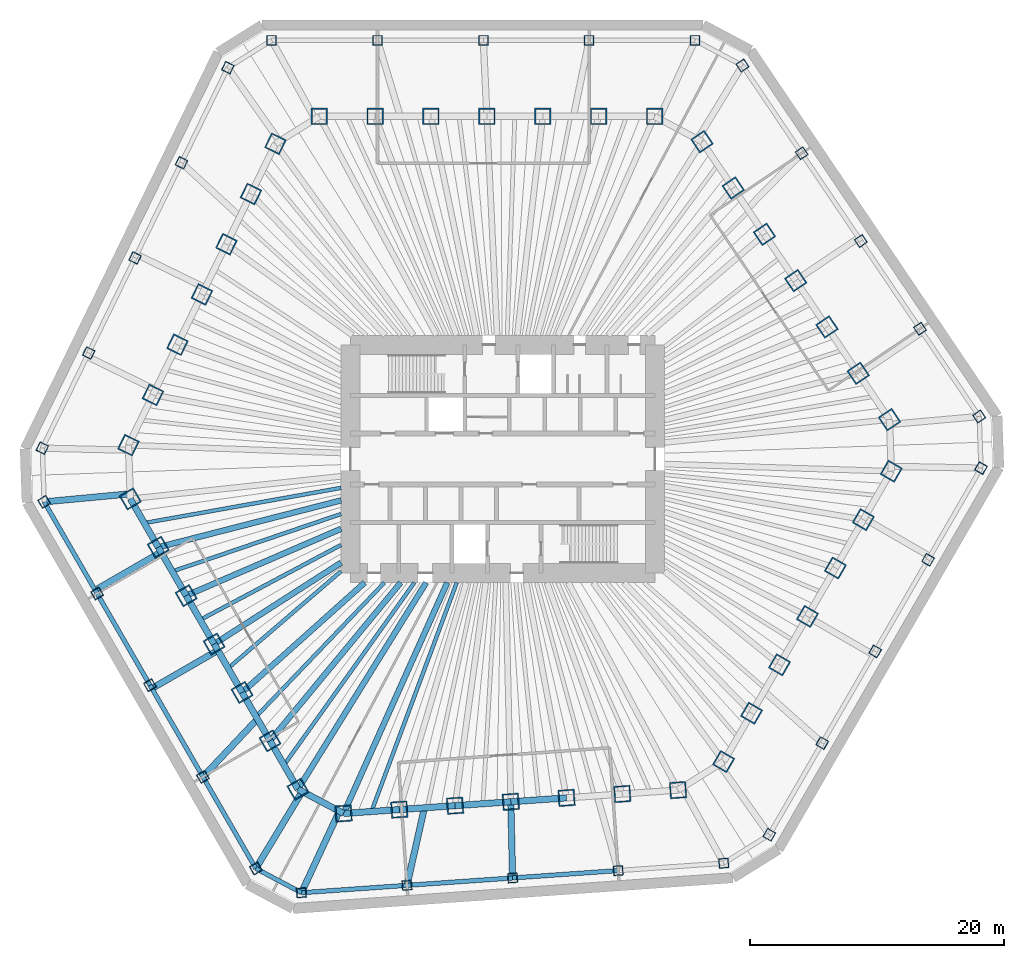
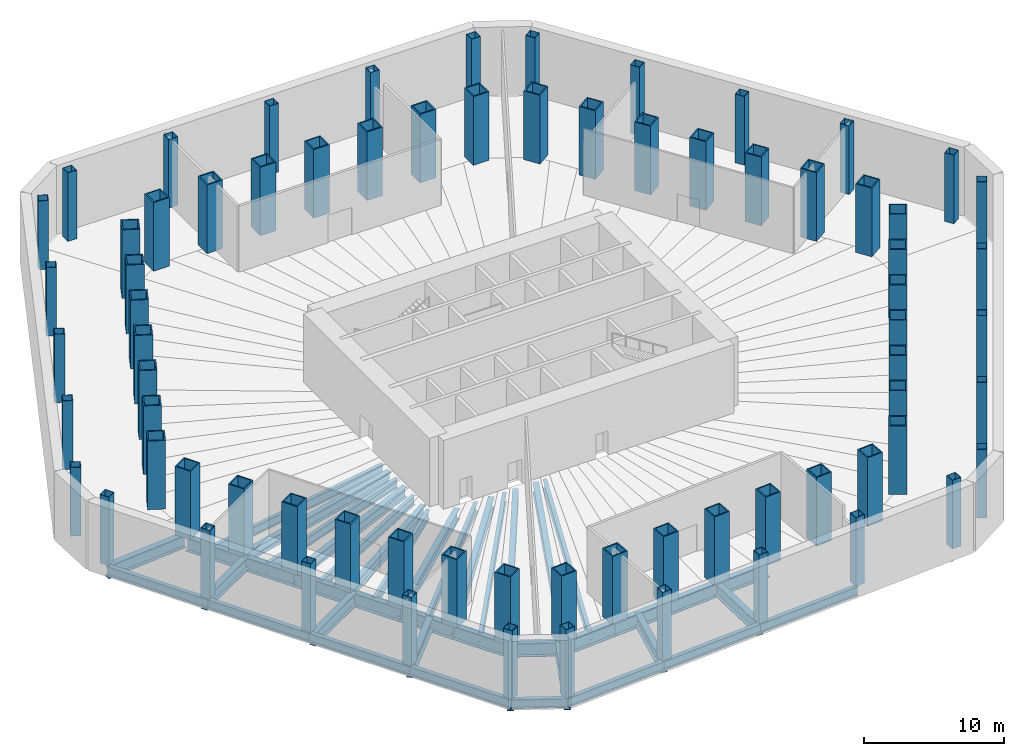
# One storey, part 1 of 8: 72 columns, 41 beams.
"""IFC4 building model written with IfcOpenShell, lengths in metres."""

from ifc_helpers import new_model, si_unit, direction, frame, origin, origin_2d, place, context, subcontext, project, spatial, hollow_rectangle, i_section, extrude, material, material_profile, profile_set, type_object, element, save


model = new_model("IFC4")

# Units and contexts
model_context = context("Model", 3, precision=1e-05, world=origin(), true_north=direction((0.0, 1.0)))
body_context = subcontext(model_context, "Body", "Model", "MODEL_VIEW")
ifc_project = project(units=[si_unit("LENGTHUNIT", "METRE"), si_unit("AREAUNIT", "SQUARE_METRE"), si_unit("VOLUMEUNIT", "CUBIC_METRE"), si_unit("PLANEANGLEUNIT", "RADIAN"), si_unit("MASSUNIT", "GRAM", prefix="KILO")], contexts=[model_context])

# Site, building, storey
site_placement = place(None, origin())
site = spatial("IfcSite", under=ifc_project, at=site_placement, CompositionType="ELEMENT")
building_placement = place(site_placement, origin())
building = spatial("IfcBuilding", under=site, at=building_placement, Name="Qingtian Harvest Tower", CompositionType="ELEMENT")
storey_placement = place(building_placement, frame((0.0, 0.0, -6.0)))
storey = spatial("IfcBuildingStorey", under=building, at=storey_placement, Name="B1", CompositionType="ELEMENT", Elevation=-6.0)

# Columns
ifc_material_1 = material(Name="Steel SM570MC", Category="steel")
ifc_material_profile_1 = material_profile(ifc_material_1, hollow_rectangle(XDim=0.75, YDim=0.75, WallThickness=0.035888671875, at=origin_2d()), Name="BOX750x750x36")
ifc_profile_set_1 = profile_set([ifc_material_profile_1], Name="Steel SM570MC")
column_type_1 = type_object("IfcColumnType", Name="Podium column PC1 BOX750x750x36", PredefinedType="COLUMN", material=ifc_profile_set_1)
for number, where, z_axis, x_axis, name in (
    (1, (-18.220703125, 33.0, 0.0), (0.0, 0.0, 1.0), (-1.0, 0.0, 0.0), "Podium column PC1 N0"),
    (2, (-9.87890625, 33.0, 0.0), (0.0, 0.0, 1.0), (-1.0, 0.0, 0.0), "Podium column PC1 N1"),
    (3, (-1.537109375, 33.0, 0.0), (0.0, 0.0, 1.0), (-1.0, 0.0, 0.0), "Podium column PC1 N2"),
    (4, (6.8046875, 33.0, 0.0), (0.0, 0.0, 1.0), (-1.0, 0.0, 0.0), "Podium column PC1 N3"),
    (5, (18.888427734375, 31.01025390625, 0.0), (0.0, 0.0, 1.0), (-0.559192903471, 0.829037572555, 0.0), "Podium column PC1 NE0"),
    (6, (23.55322265625, 24.0947265625, 0.0), (0.0, 0.0, 1.0), (-0.559192903471, 0.829037572555, 0.0), "Podium column PC1 NE1"),
    (7, (28.2177734375, 17.178955078125, 0.0), (0.0, 0.0, 1.0), (-0.559192903471, 0.829037572555, 0.0), "Podium column PC1 NE2"),
    (8, (32.882568359375, 10.263427734375, 0.0), (0.0, 0.0, 1.0), (-0.559192903471, 0.829037572555, 0.0), "Podium column PC1 NE3"),
    (9, (37.689208984375, -0.720458984375, 0.0), (0.0, 0.0, 1.0), (0.5, 0.866025403784, 0.0), "Podium column PC1 SE0"),
    (10, (33.518310546875, -7.944580078125, 0.0), (0.0, 0.0, 1.0), (0.5, 0.866025403784, 0.0), "Podium column PC1 SE1"),
    (11, (29.347412109375, -15.168701171875, 0.0), (0.0, 0.0, 1.0), (0.5, 0.866025403784, 0.0), "Podium column PC1 SE2"),
    (12, (25.176513671875, -22.39306640625, 0.0), (0.0, 0.0, 1.0), (0.5, 0.866025403784, 0.0), "Podium column PC1 SE3"),
    (13, (17.411376953125, -31.863037109375, 0.0), (0.0, 0.0, 1.0), (0.99756405026, 0.069756473744, 0.0), "Podium column PC1 S0"),
    (14, (9.090087890625, -32.44482421875, 0.0), (0.0, 0.0, 1.0), (0.99756405026, 0.069756473744, 0.0), "Podium column PC1 S1"),
    (15, (0.7685546875, -33.02685546875, 0.0), (0.0, 0.0, 1.0), (0.99756405026, 0.069756473744, 0.0), "Podium column PC1 S2"),
    (16, (-7.552978515625, -33.608642578125, 0.0), (0.0, 0.0, 1.0), (0.99756405026, 0.069756473744, 0.0), "Podium column PC1 S3"),
    (17, (-19.468505859375, -32.279541015625, 0.0), (0.0, 0.0, 1.0), (0.5, -0.866025403784, 0.0), "Podium column PC1 SW0"),
    (18, (-23.639404296875, -25.055419921875, 0.0), (0.0, 0.0, 1.0), (0.5, -0.866025403784, 0.0), "Podium column PC1 SW1"),
    (19, (-27.810302734375, -17.831298828125, 0.0), (0.0, 0.0, 1.0), (0.5, -0.866025403784, 0.0), "Podium column PC1 SW2"),
    (20, (-31.981201171875, -10.60693359375, 0.0), (0.0, 0.0, 1.0), (0.5, -0.866025403784, 0.0), "Podium column PC1 SW3"),
    (21, (-36.300048828125, 0.852783203125, 0.0), (0.0, 0.0, 1.0), (-0.438371146789, -0.898794046299, 0.0), "Podium column PC1 NW0"),
    (22, (-32.64306640625, 8.350341796875, 0.0), (0.0, 0.0, 1.0), (-0.438371146789, -0.898794046299, 0.0), "Podium column PC1 NW1"),
    (23, (-28.986328125, 15.847900390625, 0.0), (0.0, 0.0, 1.0), (-0.438371146789, -0.898794046299, 0.0), "Podium column PC1 NW2"),
    (24, (-25.32958984375, 23.345458984375, 0.0), (0.0, 0.0, 1.0), (-0.438371146789, -0.898794046299, 0.0), "Podium column PC1 NW3"),
    (25, (15.146484375, 33.0, 0.0), (0.0, 0.0, 1.0), (-1.0, 0.0, 0.0), "Podium column PC1 N4"),
    (26, (37.547119140625, 3.34765625, 0.0), (0.0, 0.0, 1.0), (-0.559192903471, 0.829037572555, 0.0), "Podium column PC1 NE4"),
    (27, (21.005615234375, -29.6171875, 0.0), (0.0, 0.0, 1.0), (0.5, 0.866025403784, 0.0), "Podium column PC1 SE4"),
    (28, (-15.874267578125, -34.190673828125, 0.0), (0.0, 0.0, 1.0), (0.99756405026, 0.069756473744, 0.0), "Podium column PC1 S4"),
    (29, (-36.152099609375, -3.3828125, 0.0), (0.0, 0.0, 1.0), (0.5, -0.866025403784, 0.0), "Podium column PC1 SW4"),
    (30, (-21.6728515625, 30.8427734375, 0.0), (0.0, 0.0, 1.0), (-0.438371146789, -0.898794046299, 0.0), "Podium column PC1 NW4"),
):
    element("IfcColumn", number, at=place(storey_placement, frame(where, z_axis=z_axis, x_axis=x_axis)), inside=storey, type_object=column_type_1, Name=name, PredefinedType="COLUMN", context=body_context, shape_type="SweptSolid", body=[
        extrude(hollow_rectangle(XDim=0.75, YDim=0.75, WallThickness=0.035888671875, at=origin_2d()), origin(), (0.0, 0.0, 1.0), 6.0),
    ])
ifc_material_2 = material(Name="Steel SM570MC", Category="steel")
ifc_material_profile_2 = material_profile(ifc_material_2, hollow_rectangle(XDim=1.300048828125, YDim=1.300048828125, WallThickness=0.10009765625, at=origin_2d()), Name="BOX1300x1300x100")
ifc_profile_set_2 = profile_set([ifc_material_profile_2], Name="Steel SM570MC")
column_type_2 = type_object("IfcColumnType", Name="Tube column TC1 BOX1300x1300x100", PredefinedType="COLUMN", material=ifc_profile_set_2)
for number, where, z_axis, x_axis, name in (
    (31, (-14.471435546875, 27.0, 0.0), (0.0, 0.0, 1.0), (-1.0, 0.0, 0.0), "Tube column TC1 N0"),
    (32, (-10.06689453125, 27.0, 0.0), (0.0, 0.0, 1.0), (-1.0, 0.0, 0.0), "Tube column TC1 N1"),
    (33, (-5.662353515625, 27.0, 0.0), (0.0, 0.0, 1.0), (-1.0, 0.0, 0.0), "Tube column TC1 N2"),
    (34, (-1.257568359375, 27.0, 0.0), (0.0, 0.0, 1.0), (-1.0, 0.0, 0.0), "Tube column TC1 N3"),
    (35, (3.14697265625, 27.0, 0.0), (0.0, 0.0, 1.0), (-1.0, 0.0, 0.0), "Tube column TC1 N4"),
    (36, (7.551513671875, 27.0, 0.0), (0.0, 0.0, 1.0), (-1.0, 0.0, 0.0), "Tube column TC1 N5"),
    (37, (11.9560546875, 27.0, 0.0), (0.0, 0.0, 1.0), (-1.0, 0.0, 0.0), "Tube column TC1 N6"),
    (38, (15.6982421875, 25.01025390625, 0.0), (0.0, 0.0, 1.0), (-0.559192903471, 0.829037572555, 0.0), "Tube column TC1 NE0"),
    (39, (18.1611328125, 21.358642578125, 0.0), (0.0, 0.0, 1.0), (-0.559192903471, 0.829037572555, 0.0), "Tube column TC1 NE1"),
    (40, (20.624267578125, 17.70703125, 0.0), (0.0, 0.0, 1.0), (-0.559192903471, 0.829037572555, 0.0), "Tube column TC1 NE2"),
    (41, (23.08740234375, 14.0556640625, 0.0), (0.0, 0.0, 1.0), (-0.559192903471, 0.829037572555, 0.0), "Tube column TC1 NE3"),
    (42, (25.55029296875, 10.404052734375, 0.0), (0.0, 0.0, 1.0), (-0.559192903471, 0.829037572555, 0.0), "Tube column TC1 NE4"),
    (43, (28.013427734375, 6.75244140625, 0.0), (0.0, 0.0, 1.0), (-0.559192903471, 0.829037572555, 0.0), "Tube column TC1 NE5"),
    (44, (30.476318359375, 3.100830078125, 0.0), (0.0, 0.0, 1.0), (-0.559192903471, 0.829037572555, 0.0), "Tube column TC1 NE6"),
    (45, (30.618408203125, -0.96728515625, 0.0), (0.0, 0.0, 1.0), (0.5, 0.866025403784, 0.0), "Tube column TC1 SE0"),
    (46, (28.416015625, -4.78173828125, 0.0), (0.0, 0.0, 1.0), (0.5, 0.866025403784, 0.0), "Tube column TC1 SE1"),
    (47, (26.2138671875, -8.596435546875, 0.0), (0.0, 0.0, 1.0), (0.5, 0.866025403784, 0.0), "Tube column TC1 SE2"),
    (48, (24.011474609375, -12.410888671875, 0.0), (0.0, 0.0, 1.0), (0.5, 0.866025403784, 0.0), "Tube column TC1 SE3"),
    (49, (21.809326171875, -16.225341796875, 0.0), (0.0, 0.0, 1.0), (0.5, 0.866025403784, 0.0), "Tube column TC1 SE4"),
    (50, (19.60693359375, -20.039794921875, 0.0), (0.0, 0.0, 1.0), (0.5, 0.866025403784, 0.0), "Tube column TC1 SE5"),
    (51, (17.404541015625, -23.854248046875, 0.0), (0.0, 0.0, 1.0), (0.5, 0.866025403784, 0.0), "Tube column TC1 SE6"),
    (52, (13.810546875, -26.10009765625, 0.0), (0.0, 0.0, 1.0), (0.99756405026, 0.069756473744, 0.0), "Tube column TC1 S0"),
    (53, (9.41650390625, -26.407470703125, 0.0), (0.0, 0.0, 1.0), (0.99756405026, 0.069756473744, 0.0), "Tube column TC1 S1"),
    (54, (5.022705078125, -26.714599609375, 0.0), (0.0, 0.0, 1.0), (0.99756405026, 0.069756473744, 0.0), "Tube column TC1 S2"),
    (55, (0.62890625, -27.02197265625, 0.0), (0.0, 0.0, 1.0), (0.99756405026, 0.069756473744, 0.0), "Tube column TC1 S3"),
    (56, (-3.76513671875, -27.3291015625, 0.0), (0.0, 0.0, 1.0), (0.99756405026, 0.069756473744, 0.0), "Tube column TC1 S4"),
    (57, (-8.158935546875, -27.636474609375, 0.0), (0.0, 0.0, 1.0), (0.99756405026, 0.069756473744, 0.0), "Tube column TC1 S5"),
    (58, (-12.552734375, -27.943603515625, 0.0), (0.0, 0.0, 1.0), (0.99756405026, 0.069756473744, 0.0), "Tube column TC1 S6"),
    (59, (-16.14697265625, -26.03271484375, 0.0), (0.0, 0.0, 1.0), (0.5, -0.866025403784, 0.0), "Tube column TC1 SW0"),
    (60, (-18.349365234375, -22.21826171875, 0.0), (0.0, 0.0, 1.0), (0.5, -0.866025403784, 0.0), "Tube column TC1 SW1"),
    (61, (-20.551513671875, -18.403564453125, 0.0), (0.0, 0.0, 1.0), (0.5, -0.866025403784, 0.0), "Tube column TC1 SW2"),
    (62, (-22.75390625, -14.589111328125, 0.0), (0.0, 0.0, 1.0), (0.5, -0.866025403784, 0.0), "Tube column TC1 SW3"),
    (63, (-24.9560546875, -10.774658203125, 0.0), (0.0, 0.0, 1.0), (0.5, -0.866025403784, 0.0), "Tube column TC1 SW4"),
    (64, (-27.158447265625, -6.960205078125, 0.0), (0.0, 0.0, 1.0), (0.5, -0.866025403784, 0.0), "Tube column TC1 SW5"),
    (65, (-29.36083984375, -3.145751953125, 0.0), (0.0, 0.0, 1.0), (0.5, -0.866025403784, 0.0), "Tube column TC1 SW6"),
    (66, (-29.5087890625, 1.08984375, 0.0), (0.0, 0.0, 1.0), (-0.438371146789, -0.898794046299, 0.0), "Tube column TC1 NW0"),
    (67, (-27.577880859375, 5.048828125, 0.0), (0.0, 0.0, 1.0), (-0.438371146789, -0.898794046299, 0.0), "Tube column TC1 NW1"),
    (68, (-25.64697265625, 9.007568359375, 0.0), (0.0, 0.0, 1.0), (-0.438371146789, -0.898794046299, 0.0), "Tube column TC1 NW2"),
    (69, (-23.716064453125, 12.96630859375, 0.0), (0.0, 0.0, 1.0), (-0.438371146789, -0.898794046299, 0.0), "Tube column TC1 NW3"),
    (70, (-21.78515625, 16.92529296875, 0.0), (0.0, 0.0, 1.0), (-0.438371146789, -0.898794046299, 0.0), "Tube column TC1 NW4"),
    (71, (-19.8544921875, 20.884033203125, 0.0), (0.0, 0.0, 1.0), (-0.438371146789, -0.898794046299, 0.0), "Tube column TC1 NW5"),
    (72, (-17.923583984375, 24.8427734375, 0.0), (0.0, 0.0, 1.0), (-0.438371146789, -0.898794046299, 0.0), "Tube column TC1 NW6"),
):
    element("IfcColumn", number, at=place(storey_placement, frame(where, z_axis=z_axis, x_axis=x_axis)), inside=storey, type_object=column_type_2, Name=name, PredefinedType="COLUMN", context=body_context, shape_type="SweptSolid", body=[
        extrude(hollow_rectangle(XDim=1.300048828125, YDim=1.300048828125, WallThickness=0.10009765625, at=origin_2d()), origin(), (0.0, 0.0, 1.0), 6.0),
    ])

# Beams
ifc_material_3 = material(Name="Steel SM570MC", Category="steel")
ifc_material_profile_3 = material_profile(ifc_material_3, i_section(OverallWidth=0.449951171875, OverallDepth=0.89990234375, WebThickness=0.02197265625, FlangeThickness=0.044921875, at=origin_2d()), Name="H900x450x22x45")
ifc_profile_set_3 = profile_set([ifc_material_profile_3], Name="Steel SM570MC")
beam_type_1 = type_object("IfcBeamType", Name="Floor beam FB5 H900x450x22x45", PredefinedType="BEAM", material=ifc_profile_set_3)
beam_1_placement = place(storey_placement, frame((-12.552734375, -27.943603515625, -0.699951171875), z_axis=(0.409769605538, 0.912189054077, 0.0), x_axis=(-0.912189054077, 0.409769605538, 0.0)))
element("IfcBeam", 73, at=beam_1_placement, inside=storey, type_object=beam_type_1, Name="Floor beam FB5 S6", PredefinedType="BEAM", context=body_context, shape_type="SweptSolid", body=[
    extrude(i_section(OverallWidth=0.449951171875, OverallDepth=0.89990234375, WebThickness=0.02197265625, FlangeThickness=0.044921875, at=origin_2d()), origin(), (0.0, 0.0, 1.0), 19.945068359375),
])
beam_2_placement = place(storey_placement, frame((-16.14697265625, -26.03271484375, -0.699951171875), z_axis=(0.5270935495, 0.849807266429, 0.0), x_axis=(-0.849807266429, 0.5270935495, 0.0)))
element("IfcBeam", 74, at=beam_2_placement, inside=storey, type_object=beam_type_1, Name="Floor beam FB5 SW0", PredefinedType="BEAM", context=body_context, shape_type="SweptSolid", body=[
    extrude(i_section(OverallWidth=0.449951171875, OverallDepth=0.89990234375, WebThickness=0.02197265625, FlangeThickness=0.044921875, at=origin_2d()), origin(), (0.0, 0.0, 1.0), 19.160400390625),
])
beam_3_placement = place(storey_placement, frame((-18.349365234375, -22.21826171875, -0.699951171875), z_axis=(0.636780387972, 0.771045224026, 0.0), x_axis=(-0.771045224026, 0.636780387972, 0.0)))
element("IfcBeam", 75, at=beam_3_placement, inside=storey, type_object=beam_type_1, Name="Floor beam FB5 SW1", PredefinedType="BEAM", context=body_context, shape_type="SweptSolid", body=[
    extrude(i_section(OverallWidth=0.449951171875, OverallDepth=0.89990234375, WebThickness=0.02197265625, FlangeThickness=0.044921875, at=origin_2d()), origin(), (0.0, 0.0, 1.0), 16.170654296875),
])
beam_4_placement = place(storey_placement, frame((-20.551513671875, -18.403564453125, -0.699951171875), z_axis=(0.744965104975, 0.667103434536, 0.0), x_axis=(-0.667103434536, 0.744965104975, 0.0)))
element("IfcBeam", 76, at=beam_4_placement, inside=storey, type_object=beam_type_1, Name="Floor beam FB5 SW2", PredefinedType="BEAM", context=body_context, shape_type="SweptSolid", body=[
    extrude(i_section(OverallWidth=0.449951171875, OverallDepth=0.89990234375, WebThickness=0.02197265625, FlangeThickness=0.044921875, at=origin_2d()), origin(), (0.0, 0.0, 1.0), 12.971923828125),
])
beam_5_placement = place(storey_placement, frame((-22.75390625, -14.589111328125, -0.699951171875), z_axis=(0.841829353865, 0.539743771591, 0.0), x_axis=(-0.539743771591, 0.841829353865, 0.0)))
element("IfcBeam", 77, at=beam_5_placement, inside=storey, type_object=beam_type_1, Name="Floor beam FB5 SW3", PredefinedType="BEAM", context=body_context, shape_type="SweptSolid", body=[
    extrude(i_section(OverallWidth=0.449951171875, OverallDepth=0.89990234375, WebThickness=0.02197265625, FlangeThickness=0.044921875, at=origin_2d()), origin(), (0.0, 0.0, 1.0), 11.883544921875),
])
beam_6_placement = place(storey_placement, frame((-24.9560546875, -10.774658203125, -0.699951171875), z_axis=(0.918083617325, 0.396386770213, 0.0), x_axis=(-0.396386770213, 0.918083617325, 0.0)))
element("IfcBeam", 78, at=beam_6_placement, inside=storey, type_object=beam_type_1, Name="Floor beam FB5 SW4", PredefinedType="BEAM", context=body_context, shape_type="SweptSolid", body=[
    extrude(i_section(OverallWidth=0.449951171875, OverallDepth=0.89990234375, WebThickness=0.02197265625, FlangeThickness=0.044921875, at=origin_2d()), origin(), (0.0, 0.0, 1.0), 13.295166015625),
])
beam_7_placement = place(storey_placement, frame((-27.158447265625, -6.960205078125, -0.699951171875), z_axis=(0.968693729942, 0.248258851947, 0.0), x_axis=(-0.248258851947, 0.968693729942, 0.0)))
element("IfcBeam", 79, at=beam_7_placement, inside=storey, type_object=beam_type_1, Name="Floor beam FB5 SW5", PredefinedType="BEAM", context=body_context, shape_type="SweptSolid", body=[
    extrude(i_section(OverallWidth=0.449951171875, OverallDepth=0.89990234375, WebThickness=0.02197265625, FlangeThickness=0.044921875, at=origin_2d()), origin(), (0.0, 0.0, 1.0), 14.8740234375),
])
ifc_material_4 = material(Name="Steel SM570MC", Category="steel")
ifc_material_profile_4 = material_profile(ifc_material_4, i_section(OverallWidth=0.5, OverallDepth=1.10009765625, WebThickness=0.02490234375, FlangeThickness=0.050048828125, at=origin_2d()), Name="H1100x500x25x50")
ifc_profile_set_4 = profile_set([ifc_material_profile_4], Name="Steel SM570MC")
beam_type_2 = type_object("IfcBeamType", Name="Floor beam FB6 H1100x500x25x50", PredefinedType="BEAM", material=ifc_profile_set_4)
beam_8_placement = place(storey_placement, frame((0.7685546875, -33.02685546875, -0.800048828125), z_axis=(-0.023249527749, 0.999729693197, 0.0), x_axis=(-0.999729693197, -0.023249527749, 0.0)))
element("IfcBeam", 80, at=beam_8_placement, inside=storey, type_object=beam_type_2, Name="Podium floor beam FB6 S2", PredefinedType="BEAM", context=body_context, shape_type="SweptSolid", body=[
    extrude(i_section(OverallWidth=0.5, OverallDepth=1.10009765625, WebThickness=0.02490234375, FlangeThickness=0.050048828125, at=origin_2d()), origin(), (0.0, 0.0, 1.0), 6.006591796875),
])
beam_9_placement = place(storey_placement, frame((-7.552978515625, -33.608642578125, -0.800048828125), z_axis=(0.219270091225, 0.975664197916, 0.0), x_axis=(-0.975664197916, 0.219270091225, 0.0)))
element("IfcBeam", 81, at=beam_9_placement, inside=storey, type_object=beam_type_2, Name="Podium floor beam FB6 S3", PredefinedType="BEAM", context=body_context, shape_type="SweptSolid", body=[
    extrude(i_section(OverallWidth=0.5, OverallDepth=1.10009765625, WebThickness=0.02490234375, FlangeThickness=0.050048828125, at=origin_2d()), origin(), (0.0, 0.0, 1.0), 6.262939453125),
])
for number, where, z_axis, x_axis, name in (
    (82, (-15.874267578125, -34.190673828125, -0.800048828125), (0.421100170237, 0.907014138052, 0.0), (-0.907014138052, 0.421100170237, 0.0), "Podium floor beam FB6 S4"),
    (83, (-19.468505859375, -32.279541015625, -0.800048828125), (0.516465499259, 0.856307998371, 0.0), (-0.856307998371, 0.516465499259, 0.0), "Podium floor beam FB6 SW0"),
):
    element("IfcBeam", number, at=place(storey_placement, frame(where, z_axis=z_axis, x_axis=x_axis)), inside=storey, type_object=beam_type_2, Name=name, PredefinedType="BEAM", context=body_context, shape_type="SweptSolid", body=[
        extrude(i_section(OverallWidth=0.5, OverallDepth=1.10009765625, WebThickness=0.02490234375, FlangeThickness=0.050048828125, at=origin_2d()), origin(), (0.0, 0.0, 1.0), 7.08544921875),
    ])
beam_10_placement = place(storey_placement, frame((-23.639404296875, -25.055419921875, -0.800048828125), z_axis=(0.686245720633, 0.727369789662, 0.0), x_axis=(-0.727369789662, 0.686245720633, 0.0)))
element("IfcBeam", 84, at=beam_10_placement, inside=storey, type_object=beam_type_2, Name="Podium floor beam FB6 SW1", PredefinedType="BEAM", context=body_context, shape_type="SweptSolid", body=[
    extrude(i_section(OverallWidth=0.5, OverallDepth=1.10009765625, WebThickness=0.02490234375, FlangeThickness=0.050048828125, at=origin_2d()), origin(), (0.0, 0.0, 1.0), 6.26318359375),
])
for number, where, z_axis, x_axis, name in (
    (85, (-27.66015625, -18.091064453125, -0.800048828125), (0.866020924479, 0.500007758305, 0.0), (-0.500007758305, 0.866020924479, 0.0), "Podium floor beam FB6 SW2"),
    (86, (-32.131103515625, -10.34716796875, -0.800048828125), (0.866020924479, 0.500007758305, 0.0), (-0.500007758305, 0.866020924479, 0.0), "Podium floor beam FB6 SW3"),
):
    element("IfcBeam", number, at=place(storey_placement, frame(where, z_axis=z_axis, x_axis=x_axis)), inside=storey, type_object=beam_type_2, Name=name, PredefinedType="BEAM", context=body_context, shape_type="SweptSolid", body=[
        extrude(i_section(OverallWidth=0.5, OverallDepth=1.10009765625, WebThickness=0.02490234375, FlangeThickness=0.050048828125, at=origin_2d()), origin(), (0.0, 0.0, 1.0), 6.0),
    ])
beam_11_placement = place(storey_placement, frame((-36.152099609375, -3.3828125, -0.800048828125), z_axis=(0.995649523879, 0.093177387812, 0.0), x_axis=(-0.093177387812, 0.995649523879, 0.0)))
element("IfcBeam", 87, at=beam_11_placement, inside=storey, type_object=beam_type_2, Name="Podium floor beam FB6 SW4", PredefinedType="BEAM", context=body_context, shape_type="SweptSolid", body=[
    extrude(i_section(OverallWidth=0.5, OverallDepth=1.10009765625, WebThickness=0.02490234375, FlangeThickness=0.050048828125, at=origin_2d()), origin(), (0.0, 0.0, 1.0), 6.80712890625),
])
ifc_material_5 = material(Name="Steel SN490B", Category="steel")
ifc_material_profile_5 = material_profile(ifc_material_5, i_section(OverallWidth=0.300048828125, OverallDepth=0.800048828125, WebThickness=0.013916015625, FlangeThickness=0.02587890625, at=origin_2d()), Name="H800x300x14x26")
ifc_profile_set_5 = profile_set([ifc_material_profile_5], Name="Steel SN490B")
beam_type_3 = type_object("IfcBeamType", Name="Floor joist J1 H800x300x14x26", PredefinedType="JOIST", material=ifc_profile_set_5)
beam_12_placement = place(storey_placement, frame((-10.35595703125, -27.7900390625, -0.64990234375), z_axis=(0.349193741063, 0.937050548905, 0.0), x_axis=(-0.937050548905, 0.349193741063, 0.0)))
element("IfcBeam", 88, at=beam_12_placement, inside=storey, type_object=beam_type_3, Name="Floor joist J1 S5", PredefinedType="JOIST", context=body_context, shape_type="SweptSolid", body=[
    extrude(i_section(OverallWidth=0.300048828125, OverallDepth=0.800048828125, WebThickness=0.013916015625, FlangeThickness=0.02587890625, at=origin_2d()), origin(), (0.0, 0.0, 1.0), 19.251953125),
])
beam_13_placement = place(storey_placement, frame((-17.248046875, -24.12548828125, -0.64990234375), z_axis=(0.581580544546, 0.81348882611, 0.0), x_axis=(-0.81348882611, 0.581580544546, 0.0)))
element("IfcBeam", 89, at=beam_13_placement, inside=storey, type_object=beam_type_3, Name="Floor joist J1 SW0", PredefinedType="JOIST", context=body_context, shape_type="SweptSolid", body=[
    extrude(i_section(OverallWidth=0.300048828125, OverallDepth=0.800048828125, WebThickness=0.013916015625, FlangeThickness=0.02587890625, at=origin_2d()), origin(), (0.0, 0.0, 1.0), 17.67138671875),
])
beam_14_placement = place(storey_placement, frame((-19.450439453125, -20.31103515625, -0.64990234375), z_axis=(0.691639144398, 0.722243237377, 0.0), x_axis=(-0.722243237377, 0.691639144398, 0.0)))
element("IfcBeam", 90, at=beam_14_placement, inside=storey, type_object=beam_type_3, Name="Floor joist J1 SW1", PredefinedType="JOIST", context=body_context, shape_type="SweptSolid", body=[
    extrude(i_section(OverallWidth=0.300048828125, OverallDepth=0.800048828125, WebThickness=0.013916015625, FlangeThickness=0.02587890625, at=origin_2d()), origin(), (0.0, 0.0, 1.0), 14.62255859375),
])
beam_15_placement = place(storey_placement, frame((-21.652587890625, -16.496337890625, -0.64990234375), z_axis=(0.758605680154, 0.651550014994, 0.0), x_axis=(-0.651550014994, 0.758605680154, 0.0)))
element("IfcBeam", 91, at=beam_15_placement, inside=storey, type_object=beam_type_3, Name="Floor joist J1 SW2", PredefinedType="JOIST", context=body_context, shape_type="SweptSolid", body=[
    extrude(i_section(OverallWidth=0.300048828125, OverallDepth=0.800048828125, WebThickness=0.013916015625, FlangeThickness=0.02587890625, at=origin_2d()), origin(), (0.0, 0.0, 1.0), 11.7353515625),
])
beam_16_placement = place(storey_placement, frame((-23.85498046875, -12.681884765625, -0.64990234375), z_axis=(0.882982474604, 0.469405953885, 0.0), x_axis=(-0.469405953885, 0.882982474604, 0.0)))
element("IfcBeam", 92, at=beam_16_placement, inside=storey, type_object=beam_type_3, Name="Floor joist J1 SW3", PredefinedType="JOIST", context=body_context, shape_type="SweptSolid", body=[
    extrude(i_section(OverallWidth=0.300048828125, OverallDepth=0.800048828125, WebThickness=0.013916015625, FlangeThickness=0.02587890625, at=origin_2d()), origin(), (0.0, 0.0, 1.0), 12.57666015625),
])
beam_17_placement = place(storey_placement, frame((-26.057373046875, -8.867431640625, -0.64990234375), z_axis=(0.946684735425, 0.322161468387, 0.0), x_axis=(-0.322161468387, 0.946684735425, 0.0)))
element("IfcBeam", 93, at=beam_17_placement, inside=storey, type_object=beam_type_3, Name="Floor joist J1 SW4", PredefinedType="JOIST", context=body_context, shape_type="SweptSolid", body=[
    extrude(i_section(OverallWidth=0.300048828125, OverallDepth=0.800048828125, WebThickness=0.013916015625, FlangeThickness=0.02587890625, at=origin_2d()), origin(), (0.0, 0.0, 1.0), 14.056884765625),
])
beam_18_placement = place(storey_placement, frame((-28.259521484375, -5.052978515625, -0.64990234375), z_axis=(0.984387614034, 0.176014275943, 0.0), x_axis=(-0.176014275943, 0.984387614034, 0.0)))
element("IfcBeam", 94, at=beam_18_placement, inside=storey, type_object=beam_type_3, Name="Floor joist J1 SW5", PredefinedType="JOIST", context=body_context, shape_type="SweptSolid", body=[
    extrude(i_section(OverallWidth=0.300048828125, OverallDepth=0.800048828125, WebThickness=0.013916015625, FlangeThickness=0.02587890625, at=origin_2d()), origin(), (0.0, 0.0, 1.0), 15.755615234375),
])
ifc_material_6 = material(Name="Steel SN490B", Category="steel")
ifc_material_profile_6 = material_profile(ifc_material_6, i_section(OverallWidth=0.35009765625, OverallDepth=0.800048828125, WebThickness=0.01611328125, FlangeThickness=0.028076171875, at=origin_2d()), Name="H800x350x16x28")
ifc_profile_set_6 = profile_set([ifc_material_profile_6], Name="Steel SN490B")
beam_type_4 = type_object("IfcBeamType", Name="Podium beam PB1 H800x350x16x28", PredefinedType="BEAM", material=ifc_profile_set_6)
for number, where, z_axis, x_axis, name in (
    (95, (9.090087890625, -32.44482421875, -0.64990234375), (-0.99756294098, -0.069772335376, 0.0), (0.069772335376, -0.99756294098, 0.0), "Podium edge beam PB1 S1"),
    (96, (0.7685546875, -33.02685546875, -0.64990234375), (-0.997564977604, -0.069743210844, 0.0), (0.069743210844, -0.997564977604, 0.0), "Podium edge beam PB1 S2"),
):
    element("IfcBeam", number, at=place(storey_placement, frame(where, z_axis=z_axis, x_axis=x_axis)), inside=storey, type_object=beam_type_4, Name=name, PredefinedType="BEAM", context=body_context, shape_type="SweptSolid", body=[
        extrude(i_section(OverallWidth=0.35009765625, OverallDepth=0.800048828125, WebThickness=0.01611328125, FlangeThickness=0.028076171875, at=origin_2d()), origin(), (0.0, 0.0, 1.0), 8.341796875),
    ])
beam_19_placement = place(storey_placement, frame((-7.552978515625, -33.608642578125, -0.64990234375), z_axis=(-0.997562798497, -0.06977437248, 0.0), x_axis=(0.06977437248, -0.997562798497, 0.0)))
element("IfcBeam", 97, at=beam_19_placement, inside=storey, type_object=beam_type_4, Name="Podium edge beam PB1 S3", PredefinedType="BEAM", context=body_context, shape_type="SweptSolid", body=[
    extrude(i_section(OverallWidth=0.35009765625, OverallDepth=0.800048828125, WebThickness=0.01611328125, FlangeThickness=0.028076171875, at=origin_2d()), origin(), (0.0, 0.0, 1.0), 8.341552734375),
])
beam_20_placement = place(storey_placement, frame((-15.874267578125, -34.190673828125, -0.64990234375), z_axis=(-0.882943273379, 0.469479686456, 0.0), x_axis=(-0.469479686456, -0.882943273379, 0.0)))
element("IfcBeam", 98, at=beam_20_placement, inside=storey, type_object=beam_type_4, Name="Podium edge beam PB1 S4", PredefinedType="BEAM", context=body_context, shape_type="SweptSolid", body=[
    extrude(i_section(OverallWidth=0.35009765625, OverallDepth=0.800048828125, WebThickness=0.01611328125, FlangeThickness=0.028076171875, at=origin_2d()), origin(), (0.0, 0.0, 1.0), 4.07080078125),
])
for number, where, z_axis, x_axis, name in (
    (99, (-19.468505859375, -32.279541015625, -0.64990234375), (-0.500004511595, 0.866022798998, 0.0), (-0.866022798998, -0.500004511595, 0.0), "Podium edge beam PB1 SW0"),
    (100, (-23.639404296875, -25.055419921875, -0.64990234375), (-0.500004511595, 0.866022798998, 0.0), (-0.866022798998, -0.500004511595, 0.0), "Podium edge beam PB1 SW1"),
):
    element("IfcBeam", number, at=place(storey_placement, frame(where, z_axis=z_axis, x_axis=x_axis)), inside=storey, type_object=beam_type_4, Name=name, PredefinedType="BEAM", context=body_context, shape_type="SweptSolid", body=[
        extrude(i_section(OverallWidth=0.35009765625, OverallDepth=0.800048828125, WebThickness=0.01611328125, FlangeThickness=0.028076171875, at=origin_2d()), origin(), (0.0, 0.0, 1.0), 8.341796875),
    ])
beam_21_placement = place(storey_placement, frame((-27.810302734375, -17.831298828125, -0.64990234375), z_axis=(-0.499991838624, 0.866030115706, 0.0), x_axis=(-0.866030115706, -0.499991838624, 0.0)))
element("IfcBeam", 101, at=beam_21_placement, inside=storey, type_object=beam_type_4, Name="Podium edge beam PB1 SW2", PredefinedType="BEAM", context=body_context, shape_type="SweptSolid", body=[
    extrude(i_section(OverallWidth=0.35009765625, OverallDepth=0.800048828125, WebThickness=0.01611328125, FlangeThickness=0.028076171875, at=origin_2d()), origin(), (0.0, 0.0, 1.0), 8.342041015625),
])
beam_22_placement = place(storey_placement, frame((-31.981201171875, -10.60693359375, -0.64990234375), z_axis=(-0.500004511595, 0.866022798998, 0.0), x_axis=(-0.866022798998, -0.500004511595, 0.0)))
element("IfcBeam", 102, at=beam_22_placement, inside=storey, type_object=beam_type_4, Name="Podium edge beam PB1 SW3", PredefinedType="BEAM", context=body_context, shape_type="SweptSolid", body=[
    extrude(i_section(OverallWidth=0.35009765625, OverallDepth=0.800048828125, WebThickness=0.01611328125, FlangeThickness=0.028076171875, at=origin_2d()), origin(), (0.0, 0.0, 1.0), 8.341796875),
])
ifc_material_7 = material(Name="Steel SM570MC", Category="steel")
ifc_material_profile_7 = material_profile(ifc_material_7, i_section(OverallWidth=0.5, OverallDepth=1.199951171875, WebThickness=0.02490234375, FlangeThickness=0.050048828125, at=origin_2d()), Name="H1200x500x25x50")
ifc_profile_set_7 = profile_set([ifc_material_profile_7], Name="Steel SM570MC")
beam_type_5 = type_object("IfcBeamType", Name="Spandrel beam SB1 H1200x500x25x50", PredefinedType="SPANDREL", material=ifc_profile_set_7)
beam_23_placement = place(storey_placement, frame((5.022705078125, -26.714599609375, -0.85009765625), z_axis=(-0.997562016486, -0.069785551967, 0.0), x_axis=(0.069785551967, -0.997562016486, 0.0)))
element("IfcBeam", 103, at=beam_23_placement, inside=storey, type_object=beam_type_5, Name="Spandrel SB1 S2", PredefinedType="SPANDREL", context=body_context, shape_type="SweptSolid", body=[
    extrude(i_section(OverallWidth=0.5, OverallDepth=1.199951171875, WebThickness=0.02490234375, FlangeThickness=0.050048828125, at=origin_2d()), origin(), (0.0, 0.0, 1.0), 4.404541015625),
])
beam_24_placement = place(storey_placement, frame((0.62890625, -27.02197265625, -0.85009765625), z_axis=(-0.997566143208, -0.069726536735, 0.0), x_axis=(0.069726536735, -0.997566143208, 0.0)))
element("IfcBeam", 104, at=beam_24_placement, inside=storey, type_object=beam_type_5, Name="Spandrel SB1 S3", PredefinedType="SPANDREL", context=body_context, shape_type="SweptSolid", body=[
    extrude(i_section(OverallWidth=0.5, OverallDepth=1.199951171875, WebThickness=0.02490234375, FlangeThickness=0.050048828125, at=origin_2d()), origin(), (0.0, 0.0, 1.0), 4.40478515625),
])
for number, where, z_axis, x_axis, name in (
    (105, (-3.76513671875, -27.3291015625, -0.85009765625), (-0.997562016486, -0.069785551967, 0.0), (0.069785551967, -0.997562016486, 0.0), "Spandrel SB1 S4"),
    (106, (-8.158935546875, -27.636474609375, -0.85009765625), (-0.997565873714, -0.069730392239, 0.0), (0.069730392239, -0.997565873714, 0.0), "Spandrel SB1 S5"),
):
    element("IfcBeam", number, at=place(storey_placement, frame(where, z_axis=z_axis, x_axis=x_axis)), inside=storey, type_object=beam_type_5, Name=name, PredefinedType="SPANDREL", context=body_context, shape_type="SweptSolid", body=[
        extrude(i_section(OverallWidth=0.5, OverallDepth=1.199951171875, WebThickness=0.02490234375, FlangeThickness=0.050048828125, at=origin_2d()), origin(), (0.0, 0.0, 1.0), 4.404541015625),
    ])
beam_25_placement = place(storey_placement, frame((-12.552734375, -27.943603515625, -0.85009765625), z_axis=(-0.882968133669, 0.469432929101, 0.0), x_axis=(-0.469432929101, -0.882968133669, 0.0)))
element("IfcBeam", 107, at=beam_25_placement, inside=storey, type_object=beam_type_5, Name="Spandrel SB1 SC", PredefinedType="SPANDREL", context=body_context, shape_type="SweptSolid", body=[
    extrude(i_section(OverallWidth=0.5, OverallDepth=1.199951171875, WebThickness=0.02490234375, FlangeThickness=0.050048828125, at=origin_2d()), origin(), (0.0, 0.0, 1.0), 4.070556640625),
])
beam_26_placement = place(storey_placement, frame((-16.14697265625, -26.03271484375, -0.85009765625), z_axis=(-0.50001992892, 0.866013897511, 0.0), x_axis=(-0.866013897511, -0.50001992892, 0.0)))
element("IfcBeam", 108, at=beam_26_placement, inside=storey, type_object=beam_type_5, Name="Spandrel SB1 SW0", PredefinedType="SPANDREL", context=body_context, shape_type="SweptSolid", body=[
    extrude(i_section(OverallWidth=0.5, OverallDepth=1.199951171875, WebThickness=0.02490234375, FlangeThickness=0.050048828125, at=origin_2d()), origin(), (0.0, 0.0, 1.0), 4.404541015625),
])
beam_27_placement = place(storey_placement, frame((-18.349365234375, -22.21826171875, -0.85009765625), z_axis=(-0.499954356739, 0.86605175433, 0.0), x_axis=(-0.86605175433, -0.499954356739, 0.0)))
element("IfcBeam", 109, at=beam_27_placement, inside=storey, type_object=beam_type_5, Name="Spandrel SB1 SW1", PredefinedType="SPANDREL", context=body_context, shape_type="SweptSolid", body=[
    extrude(i_section(OverallWidth=0.5, OverallDepth=1.199951171875, WebThickness=0.02490234375, FlangeThickness=0.050048828125, at=origin_2d()), origin(), (0.0, 0.0, 1.0), 4.40478515625),
])
for number, where, z_axis, x_axis, name in (
    (110, (-20.551513671875, -18.403564453125, -0.85009765625), (-0.50001992892, 0.866013897511, 0.0), (-0.866013897511, -0.50001992892, 0.0), "Spandrel SB1 SW2"),
    (111, (-22.75390625, -14.589111328125, -0.85009765625), (-0.499978356969, 0.866037899034, 0.0), (-0.866037899034, -0.499978356969, 0.0), "Spandrel SB1 SW3"),
    (112, (-24.9560546875, -10.774658203125, -0.85009765625), (-0.50001992892, 0.866013897511, 0.0), (-0.866013897511, -0.50001992892, 0.0), "Spandrel SB1 SW4"),
    (113, (-27.158447265625, -6.960205078125, -0.85009765625), (-0.50001992892, 0.866013897511, 0.0), (-0.866013897511, -0.50001992892, 0.0), "Spandrel SB1 SW5"),
):
    element("IfcBeam", number, at=place(storey_placement, frame(where, z_axis=z_axis, x_axis=x_axis)), inside=storey, type_object=beam_type_5, Name=name, PredefinedType="SPANDREL", context=body_context, shape_type="SweptSolid", body=[
        extrude(i_section(OverallWidth=0.5, OverallDepth=1.199951171875, WebThickness=0.02490234375, FlangeThickness=0.050048828125, at=origin_2d()), origin(), (0.0, 0.0, 1.0), 4.404541015625),
    ])

save(model, "model.ifc")
